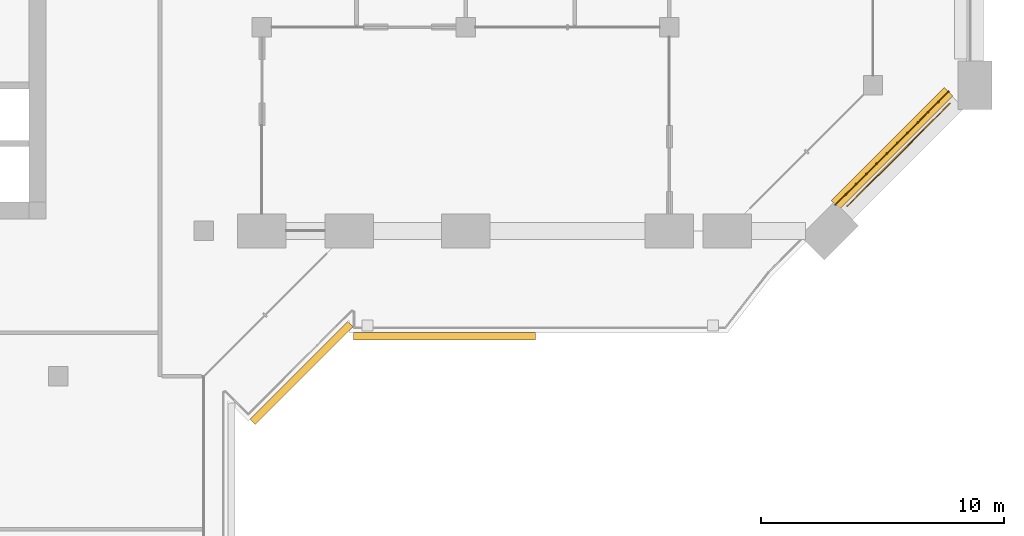
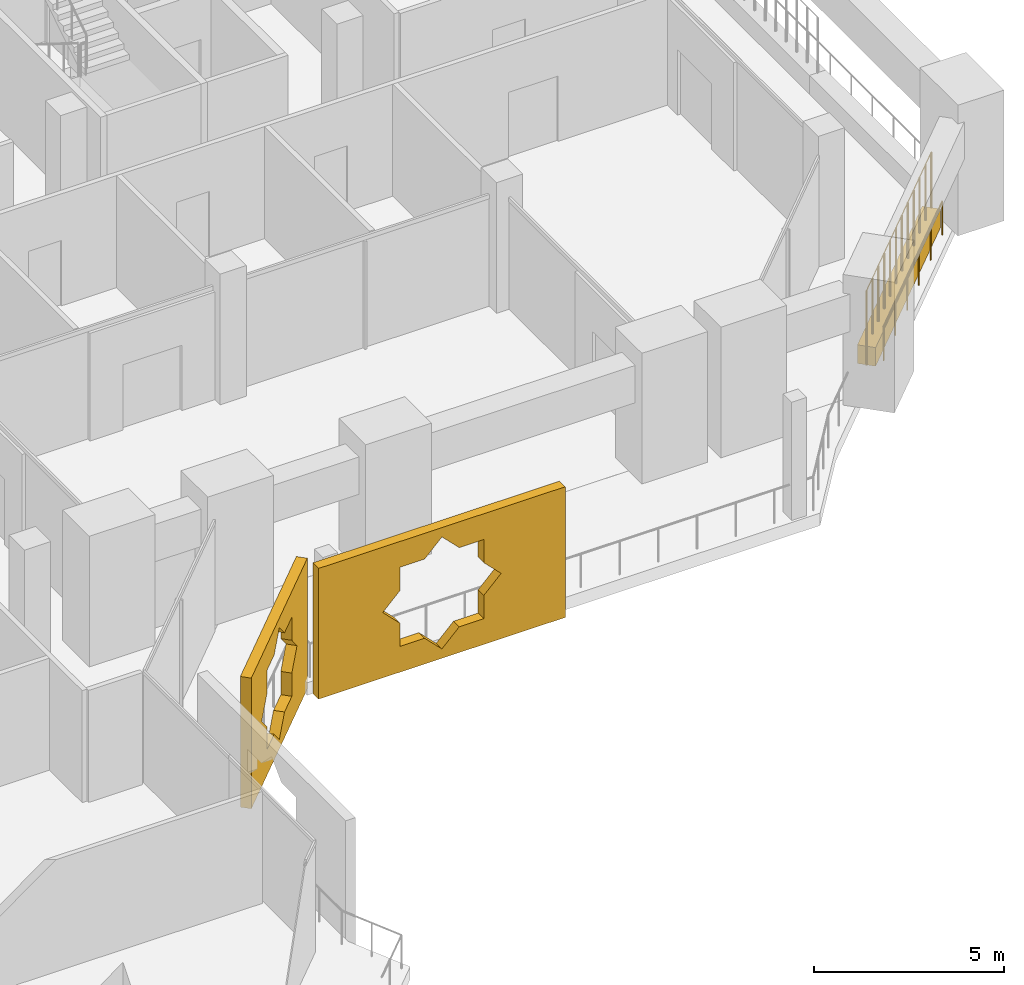
# One storey, part 17 of 20: 3 coverings, 2 railings.
"""IFC4 building model written with IfcOpenShell, lengths in metres."""

from ifc_helpers import new_model, si_unit, direction, frame, origin, origin_2d, place, context, subcontext, project, spatial, polyline, rectangle, circle, outline, extrude, material, material_profile, profile_set, type_object, element, save


model = new_model("IFC4")

# Units and contexts
model_context = context("Model", 3, precision=1e-05, world=origin(), true_north=direction((0.0, 1.0)))
body_context = subcontext(model_context, "Body", "Model", "MODEL_VIEW")
ifc_project = project(units=[si_unit("LENGTHUNIT", "METRE"), si_unit("AREAUNIT", "SQUARE_METRE"), si_unit("VOLUMEUNIT", "CUBIC_METRE"), si_unit("PLANEANGLEUNIT", "RADIAN"), si_unit("MASSUNIT", "GRAM", prefix="KILO")], contexts=[model_context])

# Site, building, storey
site_placement = place(None, origin())
site = spatial("IfcSite", under=ifc_project, at=site_placement, CompositionType="ELEMENT")
building_placement = place(site_placement, origin())
building = spatial("IfcBuilding", under=site, at=building_placement, Name="Kawkab Arch Medical Tower", CompositionType="ELEMENT")
storey_placement = place(building_placement, frame((0.0, 0.0, 277.60009765625)))
storey = spatial("IfcBuildingStorey", under=building, at=storey_placement, Name="L64", CompositionType="ELEMENT", Elevation=277.60009765625)

# Railing
ifc_material_1 = material(Name="Bronze anodised aluminium guard", Category="aluminium")
railing_type_1 = type_object("IfcRailingType", Name="Loggia and terrace guard 1100", PredefinedType="GUARDRAIL", material=ifc_material_1)
railing_1_placement = place(storey_placement, frame((57.7470703125, -24.169921875, 0.0)))
element("IfcRailing", 1, at=railing_1_placement, inside=storey, type_object=railing_type_1, Name="Guard L64.TER-02.1.1", PredefinedType="GUARDRAIL", context=body_context, shape_type="SweptSolid", body=[
    extrude(circle(Radius=0.02392578125, at=origin_2d()), frame((0.0, 0.0, 1.076171875), z_axis=(0.707106781187, 0.707106781187, 0.0), x_axis=(-0.707106781187, 0.707106781187, 0.0)), (0.0, 0.0, 1.0), 5.97216796875),
    extrude(circle(Radius=0.02099609375, at=origin_2d()), origin(), (0.0, 0.0, 1.0), 1.052001953125),
    extrude(circle(Radius=0.02099609375, at=origin_2d()), frame((0.844482421875, 0.844482421875, 0.0)), (0.0, 0.0, 1.0), 1.052001953125),
    extrude(circle(Radius=0.02099609375, at=origin_2d()), frame((1.689208984375, 1.689208984375, 0.0)), (0.0, 0.0, 1.0), 1.052001953125),
    extrude(circle(Radius=0.02099609375, at=origin_2d()), frame((2.53369140625, 2.53369140625, 0.0)), (0.0, 0.0, 1.0), 1.052001953125),
    extrude(circle(Radius=0.02099609375, at=origin_2d()), frame((3.37841796875, 3.37841796875, 0.0)), (0.0, 0.0, 1.0), 1.052001953125),
    extrude(circle(Radius=0.02099609375, at=origin_2d()), frame((4.222900390625, 4.222900390625, 0.0)), (0.0, 0.0, 1.0), 1.052001953125),
])

# Coverings
ifc_material_2 = material(Name="Bronze anodised aluminium mashrabiya panel, eight-point star pattern", Category="aluminium")
ifc_material_profile_1 = material_profile(ifc_material_2, outline(polyline([(-2.85009765625, -2.10009765625), (2.85009765625, -2.10009765625), (2.85009765625, 2.10009765625), (-2.85009765625, 2.10009765625), (-2.85009765625, -2.10009765625)]), holes=[polyline([(1.800048828125, 0.0), (1.272705078125, 0.527099609375), (1.272705078125, 1.272705078125), (0.527099609375, 1.272705078125), (0.0, 1.800048828125), (-0.527099609375, 1.272705078125), (-1.272705078125, 1.272705078125), (-1.272705078125, 0.527099609375), (-1.800048828125, 0.0), (-1.272705078125, -0.527099609375), (-1.272705078125, -1.272705078125), (-0.527099609375, -1.272705078125), (0.0, -1.800048828125), (0.527099609375, -1.272705078125), (1.272705078125, -1.272705078125), (1.272705078125, -0.527099609375), (1.800048828125, 0.0)])]), Name="Mashrabiya panel 5700x4200")
ifc_profile_set_1 = profile_set([ifc_material_profile_1], Name="Bronze anodised aluminium mashrabiya panel, eight-point star pattern")
covering_type_1 = type_object("IfcCoveringType", Name="Mashrabiya panel 5700 x 4200", PredefinedType="USERDEFINED", material=ifc_profile_set_1)
covering_1_placement = place(storey_placement, frame((35.128662109375, -30.94775390625, 1.699951171875), z_axis=(0.707106781187, -0.707106781187, 0.0), x_axis=(0.707106781187, 0.707106781187, 0.0)))
element("IfcCovering", 2, at=covering_1_placement, inside=storey, type_object=covering_type_1, Name="Mashrabiya panel L64.LOG-01-01.2", ObjectType="SCREEN", PredefinedType="USERDEFINED", context=body_context, shape_type="SweptSolid", body=[
    extrude(outline(polyline([(-2.85009765625, -2.10009765625), (2.85009765625, -2.10009765625), (2.85009765625, 2.10009765625), (-2.85009765625, 2.10009765625), (-2.85009765625, -2.10009765625)]), holes=[polyline([(1.800048828125, 0.0), (1.272705078125, 0.527099609375), (1.272705078125, 1.272705078125), (0.527099609375, 1.272705078125), (0.0, 1.800048828125), (-0.527099609375, 1.272705078125), (-1.272705078125, 1.272705078125), (-1.272705078125, 0.527099609375), (-1.800048828125, 0.0), (-1.272705078125, -0.527099609375), (-1.272705078125, -1.272705078125), (-0.527099609375, -1.272705078125), (0.0, -1.800048828125), (0.527099609375, -1.272705078125), (1.272705078125, -1.272705078125), (1.272705078125, -0.527099609375), (1.800048828125, 0.0)])]), origin(), (0.0, 0.0, 1.0), 0.300048828125),
])
ifc_material_3 = material(Name="Bronze anodised aluminium mashrabiya panel, eight-point star pattern", Category="aluminium")
ifc_material_profile_2 = material_profile(ifc_material_3, outline(polyline([(-3.75, -2.10009765625), (3.75, -2.10009765625), (3.75, 2.10009765625), (-3.75, 2.10009765625), (-3.75, -2.10009765625)]), holes=[polyline([(1.800048828125, 0.0), (1.272705078125, 0.527099609375), (1.272705078125, 1.272705078125), (0.527099609375, 1.272705078125), (0.0, 1.800048828125), (-0.527099609375, 1.272705078125), (-1.272705078125, 1.272705078125), (-1.272705078125, 0.527099609375), (-1.800048828125, 0.0), (-1.272705078125, -0.527099609375), (-1.272705078125, -1.272705078125), (-0.527099609375, -1.272705078125), (0.0, -1.800048828125), (0.527099609375, -1.272705078125), (1.272705078125, -1.272705078125), (1.272705078125, -0.527099609375), (1.800048828125, 0.0)])]), Name="Mashrabiya panel 7500x4200")
ifc_profile_set_2 = profile_set([ifc_material_profile_2], Name="Bronze anodised aluminium mashrabiya panel, eight-point star pattern")
covering_type_2 = type_object("IfcCoveringType", Name="Mashrabiya panel 7500 x 4200", PredefinedType="USERDEFINED", material=ifc_profile_set_2)
covering_2_placement = place(storey_placement, frame((41.126220703125, -29.39990234375, 1.699951171875), z_axis=(0.0, -1.0, 0.0), x_axis=(1.0, 0.0, 0.0)))
element("IfcCovering", 3, at=covering_2_placement, inside=storey, type_object=covering_type_2, Name="Mashrabiya panel L64.LOG-01-01.1", ObjectType="SCREEN", PredefinedType="USERDEFINED", context=body_context, shape_type="SweptSolid", body=[
    extrude(outline(polyline([(-3.75, -2.10009765625), (3.75, -2.10009765625), (3.75, 2.10009765625), (-3.75, 2.10009765625), (-3.75, -2.10009765625)]), holes=[polyline([(1.800048828125, 0.0), (1.272705078125, 0.527099609375), (1.272705078125, 1.272705078125), (0.527099609375, 1.272705078125), (0.0, 1.800048828125), (-0.527099609375, 1.272705078125), (-1.272705078125, 1.272705078125), (-1.272705078125, 0.527099609375), (-1.800048828125, 0.0), (-1.272705078125, -0.527099609375), (-1.272705078125, -1.272705078125), (-0.527099609375, -1.272705078125), (0.0, -1.800048828125), (0.527099609375, -1.272705078125), (1.272705078125, -1.272705078125), (1.272705078125, -0.527099609375), (1.800048828125, 0.0)])]), origin(), (0.0, 0.0, 1.0), 0.300048828125),
])
ifc_material_4 = material(Name="Planting soil in a precast trough", Category="concrete")
ifc_material_profile_3 = material_profile(ifc_material_4, rectangle(XDim=0.5, YDim=0.60009765625, at=origin_2d()), Name="Trough 500x600")
ifc_profile_set_3 = profile_set([ifc_material_profile_3], Name="Planting soil in a precast trough")
covering_type_3 = type_object("IfcCoveringType", Name="Planter trough 500 x 600", PredefinedType="USERDEFINED", material=ifc_profile_set_3)
covering_3_placement = place(storey_placement, frame((57.256103515625, -24.1201171875, 0.2998046875), z_axis=(0.707310395645, 0.70690310808, 0.0), x_axis=(-0.70690310808, 0.707310395645, 0.0)))
element("IfcCovering", 4, at=covering_3_placement, inside=storey, type_object=covering_type_3, Name="Planter L64.TER-02-01.1", ObjectType="PLANTER", PredefinedType="USERDEFINED", context=body_context, shape_type="SweptSolid", body=[
    extrude(rectangle(XDim=0.5, YDim=0.60009765625, at=origin_2d()), origin(), (0.0, 0.0, 1.0), 6.59375),
])

# Railing
ifc_material_5 = material(Name="Bronze anodised aluminium trellis for climbing plants", Category="aluminium")
railing_type_2 = type_object("IfcRailingType", Name="Planting trellis 2400", PredefinedType="USERDEFINED", material=ifc_material_5)
railing_2_placement = place(storey_placement, frame((57.256103515625, -24.1201171875, 0.0)))
element("IfcRailing", 5, at=railing_2_placement, inside=storey, type_object=railing_type_2, Name="Planting trellis L64.TER-02-01.1", ObjectType="TRELLIS", PredefinedType="USERDEFINED", context=body_context, shape_type="SweptSolid", body=[
    extrude(circle(Radius=0.01513671875, at=origin_2d()), frame((0.0, 0.0, 2.384765625), z_axis=(0.707310395645, 0.70690310808, 0.0), x_axis=(-0.70690310808, 0.707310395645, 0.0)), (0.0, 0.0, 1.0), 6.59375),
    extrude(circle(Radius=0.030029296875, at=origin_2d()), origin(), (0.0, 0.0, 1.0), 2.369873046875),
    extrude(circle(Radius=0.030029296875, at=origin_2d()), frame((0.424072265625, 0.423828125, 0.0)), (0.0, 0.0, 1.0), 2.369873046875),
    extrude(circle(Radius=0.030029296875, at=origin_2d()), frame((0.847900390625, 0.847412109375, 0.0)), (0.0, 0.0, 1.0), 2.369873046875),
    extrude(circle(Radius=0.030029296875, at=origin_2d()), frame((1.27197265625, 1.271240234375, 0.0)), (0.0, 0.0, 1.0), 2.369873046875),
    extrude(circle(Radius=0.030029296875, at=origin_2d()), frame((1.696044921875, 1.695068359375, 0.0)), (0.0, 0.0, 1.0), 2.369873046875),
    extrude(circle(Radius=0.030029296875, at=origin_2d()), frame((2.119873046875, 2.11865234375, 0.0)), (0.0, 0.0, 1.0), 2.369873046875),
    extrude(circle(Radius=0.030029296875, at=origin_2d()), frame((2.5439453125, 2.54248046875, 0.0)), (0.0, 0.0, 1.0), 2.369873046875),
    extrude(circle(Radius=0.030029296875, at=origin_2d()), frame((2.9677734375, 2.966064453125, 0.0)), (0.0, 0.0, 1.0), 2.369873046875),
    extrude(circle(Radius=0.030029296875, at=origin_2d()), frame((3.391845703125, 3.389892578125, 0.0)), (0.0, 0.0, 1.0), 2.369873046875),
    extrude(circle(Radius=0.030029296875, at=origin_2d()), frame((3.81591796875, 3.813720703125, 0.0)), (0.0, 0.0, 1.0), 2.369873046875),
    extrude(circle(Radius=0.030029296875, at=origin_2d()), frame((4.23974609375, 4.2373046875, 0.0)), (0.0, 0.0, 1.0), 2.369873046875),
    extrude(circle(Radius=0.030029296875, at=origin_2d()), frame((4.663818359375, 4.6611328125, 0.0)), (0.0, 0.0, 1.0), 2.369873046875),
])

save(model, "model.ifc")
